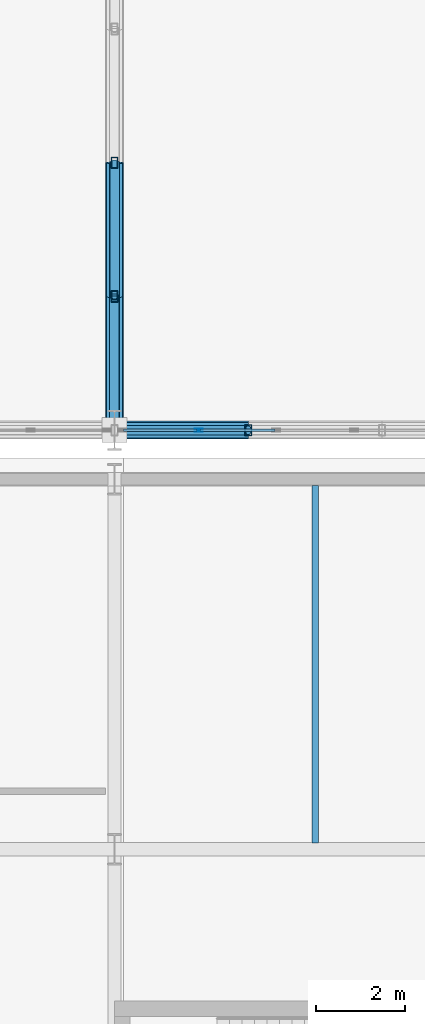
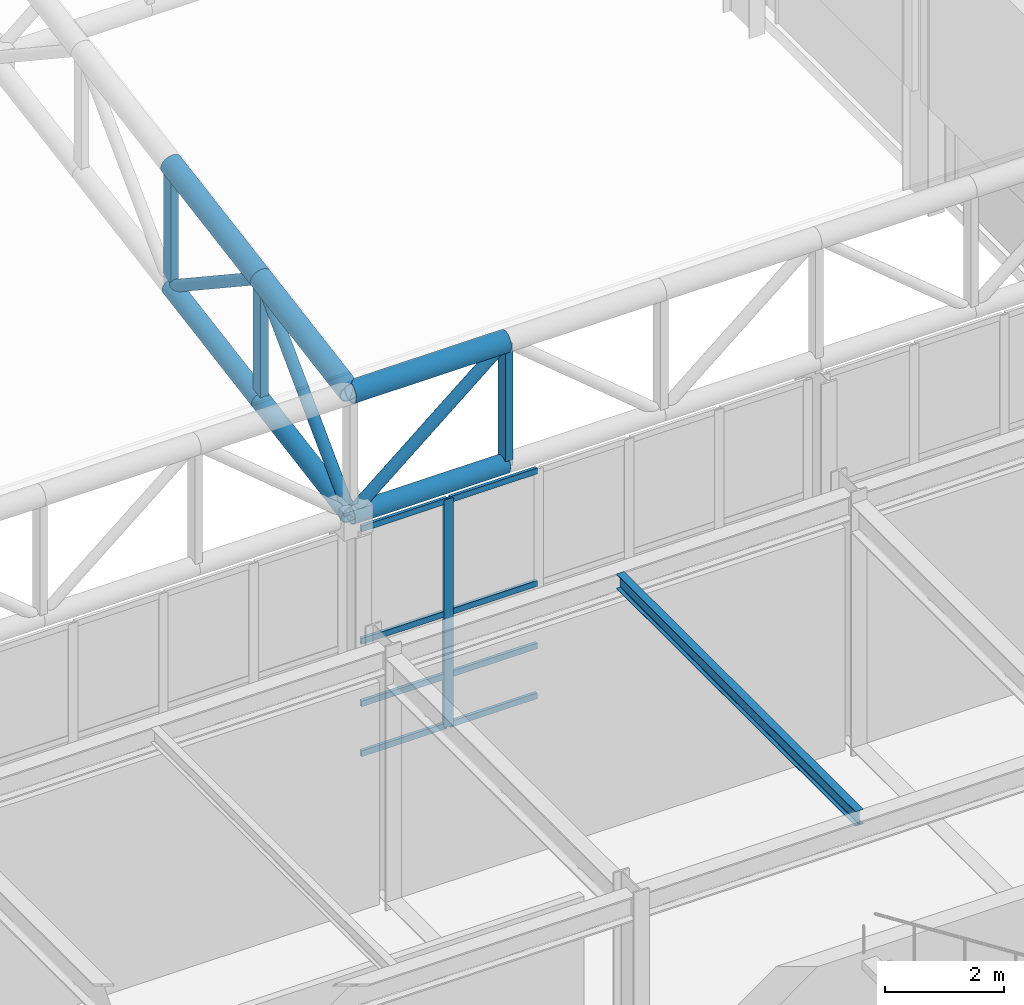
# One storey, part 69 of 239: 21 members, 1 beam, 1 element without a shape of its own.
"""IFC4 building model written with IfcOpenShell, lengths in metres."""

import ifcopenshell
import ifcopenshell.guid

model = None  # the IFC model being written
_history = None  # IfcOwnerHistory: only IFC2X3 demands one
_inside = {}  # id of a spatial element -> (the spatial element, [elements in it])
_under = {}  # id of a project, library or spatial element -> (it, [spatial elements below it])
_declared = {}  # id of a project -> (the project, [libraries it declares])
_typed = {}  # id of a type object -> (the type object, [elements of that type])
_made_of = {}  # id of a material, layer set ... -> (it, [elements and type objects made of it])


def new_model(schema):
    """Start an empty IFC model of exactly this schema.

    Asked for "IFC4X3", IfcOpenShell would pick the latest addendum, in which some entities
    have other attributes; the version numbers below select the first issue.
    IFC2X3 requires an IfcOwnerHistory on every rooted entity: one is made here for all.
    """
    global model, _history
    if schema == "IFC4X3":
        model = ifcopenshell.file(schema_version=(4, 3, 0, 0))
    else:
        model = ifcopenshell.file(schema=schema)
    _inside.clear()
    _under.clear()
    _declared.clear()
    _typed.clear()
    _made_of.clear()
    _history = None
    if model.schema == "IFC2X3":
        org = make("IfcOrganization", Name="unknown")
        user = make(
            "IfcPersonAndOrganization",
            ThePerson=make("IfcPerson", FamilyName="unknown"),
            TheOrganization=org,
        )
        app = make(
            "IfcApplication",
            ApplicationDeveloper=org,
            Version="unknown",
            ApplicationFullName="unknown",
            ApplicationIdentifier="unknown",
        )
        _history = make(
            "IfcOwnerHistory",
            OwningUser=user,
            OwningApplication=app,
            ChangeAction="ADDED",
            CreationDate=0,
        )
    return model


def make(cls, **values):
    """One entity of the class cls with the attributes given. An attribute that is None is left unset."""
    return model.create_entity(
        cls, **{name: value for name, value in values.items() if value is not None}
    )


def rooted(cls, **values):
    """An entity with a GlobalId (a new one), such as an element, a storey or a relation."""
    return make(cls, GlobalId=ifcopenshell.guid.new(), OwnerHistory=_history, **values)


def si_unit(unit_type, name, prefix=None):
    """IfcSIUnit, for example si_unit("LENGTHUNIT", "METRE", prefix="MILLI")."""
    return make("IfcSIUnit", UnitType=unit_type, Prefix=prefix, Name=name)


def assignment(units):
    """IfcUnitAssignment: the units of a project."""
    return None if units is None else make("IfcUnitAssignment", Units=units)


def point(xyz):
    """IfcCartesianPoint."""
    return None if xyz is None else make("IfcCartesianPoint", Coordinates=xyz)


def direction(xyz):
    """IfcDirection."""
    return None if xyz is None else make("IfcDirection", DirectionRatios=xyz)


def frame(location, z_axis=None, x_axis=None):
    """IfcAxis2Placement3D, a coordinate frame: its origin and axes. An axis left out is left unset."""
    return make(
        "IfcAxis2Placement3D",
        Location=point(location),
        Axis=direction(z_axis),
        RefDirection=direction(x_axis),
    )


def frame_2d(location, x_axis=None):
    """IfcAxis2Placement2D, a coordinate frame in the plane: its origin and x axis."""
    return make(
        "IfcAxis2Placement2D", Location=point(location), RefDirection=direction(x_axis)
    )


def origin():
    """The frame at (0, 0, 0) with its axes left unset."""
    return frame((0.0, 0.0, 0.0))


def origin_2d():
    """The frame at (0, 0) in the plane with its x axis left unset."""
    return frame_2d((0.0, 0.0))


def place(relative_to, where):
    """IfcLocalPlacement: puts the frame where relative to a parent placement (None: the world)."""
    return make(
        "IfcLocalPlacement", PlacementRelTo=relative_to, RelativePlacement=where
    )


def context(
    kind, dimensions, precision=None, world=None, true_north=None, identifier=None
):
    """IfcGeometricRepresentationContext, for example the 3D "Model" context."""
    return make(
        "IfcGeometricRepresentationContext",
        ContextIdentifier=identifier,
        ContextType=kind,
        CoordinateSpaceDimension=dimensions,
        Precision=precision,
        WorldCoordinateSystem=world,
        TrueNorth=true_north,
    )


def subcontext(parent, identifier, kind, view, scale=None):
    """IfcGeometricRepresentationSubContext, for example "Body" below "Model"."""
    return make(
        "IfcGeometricRepresentationSubContext",
        ContextIdentifier=identifier,
        ContextType=kind,
        ParentContext=parent,
        TargetScale=scale,
        TargetView=view,
    )


def project(units=None, contexts=None):
    """IfcProject with its units and contexts."""
    return rooted(
        "IfcProject",
        Name="project",
        RepresentationContexts=contexts,
        UnitsInContext=assignment(units),
    )


def spatial(cls, under=None, at=None, **own):
    """A site, building, storey or space (cls), placed at a placement, below another one or the project."""
    s = rooted(cls, ObjectPlacement=at, **own)
    if under is not None:
        _under.setdefault(under.id(), (under, []))[1].append(s)
    return s


def profile(cls, at=None, kind="AREA", **sizes):
    """A parametric profile (cls). Its sizes go by their IFC names, for example OverallWidth=200.0."""
    return make(cls, ProfileType=kind, Position=at, **sizes)


def hollow_rectangle(**sizes):
    """IfcRectangleHollowProfileDef."""
    return profile("IfcRectangleHollowProfileDef", **sizes)


def hollow_circle(**sizes):
    """IfcCircleHollowProfileDef."""
    return profile("IfcCircleHollowProfileDef", **sizes)


def i_section(**sizes):
    """IfcIShapeProfileDef."""
    return profile("IfcIShapeProfileDef", **sizes)


def extrude(swept, where, along, depth):
    """IfcExtrudedAreaSolid: the profile swept, set in the frame where, extruded along a direction by depth."""
    return make(
        "IfcExtrudedAreaSolid",
        SweptArea=swept,
        Position=where,
        ExtrudedDirection=direction(along),
        Depth=depth,
    )


def shape(context_of_items, identifier, shape_type, items):
    """IfcShapeRepresentation: the items that make up one representation, for example the "Body"."""
    return make(
        "IfcShapeRepresentation",
        ContextOfItems=context_of_items,
        RepresentationIdentifier=identifier,
        RepresentationType=shape_type,
        Items=items,
    )


def material(Name=None, Category=None):
    """IfcMaterial."""
    return make("IfcMaterial", Name=Name, Category=Category)


def material_profile(
    of_material, cross_section, Name=None, Category=None, Priority=None
):
    """IfcMaterialProfile: a cross section and its material."""
    return make(
        "IfcMaterialProfile",
        Name=Name,
        Material=of_material,
        Profile=cross_section,
        Priority=Priority,
        Category=Category,
    )


def profile_set(profiles, Name=None, composite=None):
    """IfcMaterialProfileSet."""
    return make(
        "IfcMaterialProfileSet",
        Name=Name,
        MaterialProfiles=profiles,
        CompositeProfile=composite,
    )


def made_of(thing, what):
    """Note that an element or type object is made of a material, layer set ...; save() writes the relation."""
    if what is not None:
        _made_of.setdefault(what.id(), (what, []))[1].append(thing)
    return thing


def type_object(cls, material=None, **own):
    """A type object (cls), such as IfcWallType, which elements share."""
    return made_of(rooted(cls, **own), material)


def element(
    cls,
    number,
    at=None,
    inside=None,
    cuts=None,
    type_object=None,
    material=None,
    context=None,
    identifier="Body",
    shape_type=None,
    held_by="IfcProductDefinitionShape",
    body=None,
    shapes=None,
    **own,
):
    """One element of the class cls, such as IfcWall. Its Tag is "e" and its number.

    at: its placement. inside: the storey or other place that contains it. cuts: it is an
    opening in that element (IfcRelVoidsElement). A single representation is given by context,
    identifier, shape_type and body (its items); several are given by shapes. held_by: the class
    of the entity that holds the representations. save() writes the other relations.
    """
    e = rooted(cls, Tag="e%d" % number, ObjectPlacement=at, **own)
    if body is not None:
        shapes = [shape(context, identifier, shape_type, body)]
    if shapes is not None:
        e.Representation = make(held_by, Representations=shapes)
    if inside is not None:
        _inside.setdefault(inside.id(), (inside, []))[1].append(e)
    if cuts is not None:
        rooted(
            "IfcRelVoidsElement", RelatingBuildingElement=cuts, RelatedOpeningElement=e
        )
    if type_object is not None:
        _typed.setdefault(type_object.id(), (type_object, []))[1].append(e)
    return made_of(e, material)


def aggregate(whole, parts):
    """IfcRelAggregates: a whole, such as a stair, and the parts it consists of."""
    return rooted("IfcRelAggregates", RelatingObject=whole, RelatedObjects=parts)


def save(model, path):
    """Write the relations noted so far, then the file.

    IfcRelAggregates (storeys below a building ...), IfcRelContainedInSpatialStructure (elements
    in a storey), IfcRelDefinesByType, IfcRelAssociatesMaterial and IfcRelDeclares: one each for
    every whole, place, type object, material and project.
    """
    for whole, parts in _under.values():
        aggregate(whole, parts)
    for where, things in _inside.values():
        rooted(
            "IfcRelContainedInSpatialStructure",
            RelatedElements=things,
            RelatingStructure=where,
        )
    for kind, things in _typed.values():
        rooted("IfcRelDefinesByType", RelatedObjects=things, RelatingType=kind)
    for what, things in _made_of.values():
        rooted("IfcRelAssociatesMaterial", RelatedObjects=things, RelatingMaterial=what)
    for by, libraries in _declared.values():
        rooted("IfcRelDeclares", RelatingContext=by, RelatedDefinitions=libraries)
    model.write(path)


model = new_model("IFC4")

# Units and contexts
model_context = context("Model", 3, precision=1e-05, world=origin(), true_north=direction((0.0, 1.0)))
body_context = subcontext(model_context, "Body", "Model", "MODEL_VIEW")
ifc_project = project(units=[si_unit("LENGTHUNIT", "METRE"), si_unit("AREAUNIT", "SQUARE_METRE"), si_unit("VOLUMEUNIT", "CUBIC_METRE"), si_unit("PLANEANGLEUNIT", "RADIAN"), si_unit("MASSUNIT", "GRAM", prefix="KILO")], contexts=[model_context])

# Site, building, storey
site_placement = place(None, origin())
site = spatial("IfcSite", under=ifc_project, at=site_placement, CompositionType="ELEMENT")
building_placement = place(site_placement, origin())
building = spatial("IfcBuilding", under=site, at=building_placement, Name="Kaldris Quays Convention Centre", CompositionType="ELEMENT")
storey_placement = place(building_placement, frame((0.0, 0.0, 11.39990234375)))
storey = spatial("IfcBuildingStorey", under=building, at=storey_placement, Name="L02", CompositionType="ELEMENT", Elevation=11.39990234375)

# Curtain wall, members
ifc_material_1 = material(Name="Anodized aluminium AW-6060 and triple glazing", Category="aluminium")
curtain_wall_type = type_object("IfcCurtainWallType", Name="UNITISED CURTAIN WALL CW03", PredefinedType="NOTDEFINED", material=ifc_material_1)
curtain_wall_placement = place(storey_placement, origin())
curtain_wall = element("IfcCurtainWall", 1, at=curtain_wall_placement, inside=storey, type_object=curtain_wall_type, Name="L02 Unitised Curtain Wall CW03 251", PredefinedType="NOTDEFINED")
ifc_material_2 = material(Name="Anodized aluminium AW-6060", Category="aluminium")
ifc_material_profile_1 = material_profile(ifc_material_2, hollow_rectangle(XDim=0.06005859375, YDim=0.179931640625, WallThickness=0.0048828125, at=origin_2d()), Name="RHS 180x60x5")
ifc_profile_set_1 = profile_set([ifc_material_profile_1], Name="Anodized aluminium AW-6060")
member_type_1 = type_object("IfcMemberType", Name="CURTAIN MULLION CWM2", PredefinedType="MULLION", material=ifc_profile_set_1)
member_1_placement = place(storey_placement, frame((129.884033203125, 56.0, 2.195068359375), z_axis=(0.0, 0.0, 1.0), x_axis=(0.0, 1.0, 0.0)))
member_1 = element("IfcMember", 2, at=member_1_placement, type_object=member_type_1, Name="CW03 mullion 2", PredefinedType="MULLION", context=body_context, shape_type="SweptSolid", body=[
    extrude(hollow_rectangle(XDim=0.06005859375, YDim=0.179931640625, WallThickness=0.0048828125, at=origin_2d()), origin(), (0.0, 0.0, 1.0), 4.655029296875),
])
ifc_material_profile_2 = material_profile(ifc_material_2, hollow_rectangle(XDim=0.06005859375, YDim=0.1201171875, WallThickness=0.00390625, at=origin_2d()), Name="RHS 120x60x4")
ifc_profile_set_2 = profile_set([ifc_material_profile_2], Name="Anodized aluminium AW-6060")
member_type_2 = type_object("IfcMemberType", Name="CURTAIN TRANSOM CWT1", PredefinedType="USERDEFINED", material=ifc_profile_set_2)
member_2_placement = place(storey_placement, frame((128.199951171875, 56.0, 2.22509765625), z_axis=(1.0, 0.0, 0.0), x_axis=(0.0, 1.0, 0.0)))
member_2 = element("IfcMember", 3, at=member_2_placement, type_object=member_type_2, Name="CW03 transom 1.1", ObjectType="TRANSOM", PredefinedType="USERDEFINED", context=body_context, shape_type="SweptSolid", body=[
    extrude(hollow_rectangle(XDim=0.06005859375, YDim=0.1201171875, WallThickness=0.00390625, at=origin_2d()), origin(), (0.0, 0.0, 1.0), 1.654052734375),
])
member_3_placement = place(storey_placement, frame((128.199951171875, 56.0, 3.2451171875), z_axis=(1.0, 0.0, 0.0), x_axis=(0.0, 1.0, 0.0)))
member_3 = element("IfcMember", 4, at=member_3_placement, type_object=member_type_2, Name="CW03 transom 1.2", ObjectType="TRANSOM", PredefinedType="USERDEFINED", context=body_context, shape_type="SweptSolid", body=[
    extrude(hollow_rectangle(XDim=0.06005859375, YDim=0.1201171875, WallThickness=0.00390625, at=origin_2d()), origin(), (0.0, 0.0, 1.0), 1.654052734375),
])
member_4_placement = place(storey_placement, frame((128.199951171875, 56.0, 4.522216796875), z_axis=(1.0, 0.0, 0.0), x_axis=(0.0, 1.0, 0.0)))
member_4 = element("IfcMember", 5, at=member_4_placement, type_object=member_type_2, Name="CW03 transom 1.3", ObjectType="TRANSOM", PredefinedType="USERDEFINED", context=body_context, shape_type="SweptSolid", body=[
    extrude(hollow_rectangle(XDim=0.06005859375, YDim=0.1201171875, WallThickness=0.00390625, at=origin_2d()), origin(), (0.0, 0.0, 1.0), 1.654052734375),
])
member_5_placement = place(storey_placement, frame((128.199951171875, 56.0, 6.820068359375), z_axis=(1.0, 0.0, 0.0), x_axis=(0.0, 1.0, 0.0)))
member_5 = element("IfcMember", 6, at=member_5_placement, type_object=member_type_2, Name="CW03 transom 1.4", ObjectType="TRANSOM", PredefinedType="USERDEFINED", context=body_context, shape_type="SweptSolid", body=[
    extrude(hollow_rectangle(XDim=0.06005859375, YDim=0.1201171875, WallThickness=0.00390625, at=origin_2d()), origin(), (0.0, 0.0, 1.0), 1.654052734375),
])
member_6_placement = place(storey_placement, frame((129.9140625, 56.0, 2.22509765625), z_axis=(1.0, 0.0, 0.0), x_axis=(0.0, 1.0, 0.0)))
member_6 = element("IfcMember", 7, at=member_6_placement, type_object=member_type_2, Name="CW03 transom 2.1", ObjectType="TRANSOM", PredefinedType="USERDEFINED", context=body_context, shape_type="SweptSolid", body=[
    extrude(hollow_rectangle(XDim=0.06005859375, YDim=0.1201171875, WallThickness=0.00390625, at=origin_2d()), origin(), (0.0, 0.0, 1.0), 1.683837890625),
])
member_7_placement = place(storey_placement, frame((129.9140625, 56.0, 3.2451171875), z_axis=(1.0, 0.0, 0.0), x_axis=(0.0, 1.0, 0.0)))
member_7 = element("IfcMember", 8, at=member_7_placement, type_object=member_type_2, Name="CW03 transom 2.2", ObjectType="TRANSOM", PredefinedType="USERDEFINED", context=body_context, shape_type="SweptSolid", body=[
    extrude(hollow_rectangle(XDim=0.06005859375, YDim=0.1201171875, WallThickness=0.00390625, at=origin_2d()), origin(), (0.0, 0.0, 1.0), 1.683837890625),
])
member_8_placement = place(storey_placement, frame((129.9140625, 56.0, 4.522216796875), z_axis=(1.0, 0.0, 0.0), x_axis=(0.0, 1.0, 0.0)))
member_8 = element("IfcMember", 9, at=member_8_placement, type_object=member_type_2, Name="CW03 transom 2.3", ObjectType="TRANSOM", PredefinedType="USERDEFINED", context=body_context, shape_type="SweptSolid", body=[
    extrude(hollow_rectangle(XDim=0.06005859375, YDim=0.1201171875, WallThickness=0.00390625, at=origin_2d()), origin(), (0.0, 0.0, 1.0), 1.683837890625),
])
member_9_placement = place(storey_placement, frame((129.9140625, 56.0, 6.820068359375), z_axis=(1.0, 0.0, 0.0), x_axis=(0.0, 1.0, 0.0)))
member_9 = element("IfcMember", 10, at=member_9_placement, type_object=member_type_2, Name="CW03 transom 2.4", ObjectType="TRANSOM", PredefinedType="USERDEFINED", context=body_context, shape_type="SweptSolid", body=[
    extrude(hollow_rectangle(XDim=0.06005859375, YDim=0.1201171875, WallThickness=0.00390625, at=origin_2d()), origin(), (0.0, 0.0, 1.0), 1.683837890625),
])
aggregate(curtain_wall, [member_1, member_2, member_3, member_4, member_5, member_6, member_7, member_8, member_9])

# Beam
ifc_material_3 = material(Name="Steel S355J2", Category="steel")
ifc_material_profile_3 = material_profile(ifc_material_3, i_section(OverallWidth=0.14990234375, OverallDepth=0.300048828125, WebThickness=0.007080078125, FlangeThickness=0.0107421875, FilletRadius=0.014892578125, at=origin_2d()), Name="IPE 300")
ifc_profile_set_3 = profile_set([ifc_material_profile_3], Name="Steel S355J2")
beam_type = type_object("IfcBeamType", Name="STRUCTURAL BEAM JT04", PredefinedType="JOIST", material=ifc_profile_set_3)
beam_placement = place(storey_placement, frame((132.5, 46.743896484375, 5.01318359375), z_axis=(0.0, 1.0, 0.0), x_axis=(-1.0, 0.0, 0.0)))
element("IfcBeam", 11, at=beam_placement, inside=storey, type_object=beam_type, Name="L02 Secondary Joist JT04 8", PredefinedType="JOIST", context=body_context, shape_type="SweptSolid", body=[
    extrude(i_section(OverallWidth=0.14990234375, OverallDepth=0.300048828125, WebThickness=0.007080078125, FlangeThickness=0.0107421875, FilletRadius=0.014892578125, at=origin_2d()), origin(), (0.0, 0.0, 1.0), 8.01220703125),
])

# Members
ifc_material_4 = material(Name="Steel S355J2H", Category="steel")
ifc_material_profile_4 = material_profile(ifc_material_4, hollow_circle(Radius=0.203125, WallThickness=0.01611328125, at=origin_2d()), Name="CHS 406.4x16")
ifc_profile_set_4 = profile_set([ifc_material_profile_4], Name="Steel S355J2H")
member_type_3 = type_object("IfcMemberType", Name="STRUCTURAL MEMBER SC01", PredefinedType="CHORD", material=ifc_profile_set_4)
member_10_placement = place(storey_placement, frame((128.0, 56.0, 9.671875), z_axis=(1.0, 0.0, 0.0), x_axis=(0.0, 1.0, 0.0)))
element("IfcMember", 12, at=member_10_placement, inside=storey, type_object=member_type_3, Name="SF-V1 Top Chord X 37", PredefinedType="CHORD", context=body_context, shape_type="SweptSolid", body=[
    extrude(hollow_circle(Radius=0.203125, WallThickness=0.01611328125, at=origin_2d()), origin(), (0.0, 0.0, 1.0), 3.0),
])
for number, where, z_axis, x_axis, name in (
    (13, (128.0, 56.0, 9.671875), (0.0, 0.985615766076, 0.169001661712), (-1.0, 0.0, 0.0), "SF-V1 Top Chord Y 505"),
    (14, (128.0, 59.0, 10.186279296875), (0.0, 0.98562912375, 0.168923741424), (-1.0, 0.0, 0.0), "SF-V1 Top Chord Y 506"),
):
    element("IfcMember", number, at=place(storey_placement, frame(where, z_axis=z_axis, x_axis=x_axis)), inside=storey, type_object=member_type_3, Name=name, PredefinedType="CHORD", context=body_context, shape_type="SweptSolid", body=[
        extrude(hollow_circle(Radius=0.203125, WallThickness=0.01611328125, at=origin_2d()), origin(), (0.0, 0.0, 1.0), 3.043701171875),
    ])
ifc_material_profile_5 = material_profile(ifc_material_4, hollow_circle(Radius=0.177734375, WallThickness=0.01611328125, at=origin_2d()), Name="CHS 355.6x16")
ifc_profile_set_5 = profile_set([ifc_material_profile_5], Name="Steel S355J2H")
member_type_4 = type_object("IfcMemberType", Name="STRUCTURAL MEMBER SC02", PredefinedType="CHORD", material=ifc_profile_set_5)
member_11_placement = place(storey_placement, frame((128.0, 56.0, 7.171875), z_axis=(1.0, 0.0, 0.0), x_axis=(0.0, 1.0, 0.0)))
element("IfcMember", 15, at=member_11_placement, inside=storey, type_object=member_type_4, Name="SF-V1 Bottom Chord X 37", PredefinedType="CHORD", context=body_context, shape_type="SweptSolid", body=[
    extrude(hollow_circle(Radius=0.177734375, WallThickness=0.01611328125, at=origin_2d()), origin(), (0.0, 0.0, 1.0), 3.0),
])
for number, where, z_axis, x_axis, name in (
    (16, (128.0, 56.0, 7.171875), (0.0, 0.985615766076, 0.169001661712), (-1.0, 0.0, 0.0), "SF-V1 Bottom Chord Y 505"),
    (17, (128.0, 59.0, 7.686279296875), (0.0, 0.98562912375, 0.168923741424), (-1.0, 0.0, 0.0), "SF-V1 Bottom Chord Y 506"),
):
    element("IfcMember", number, at=place(storey_placement, frame(where, z_axis=z_axis, x_axis=x_axis)), inside=storey, type_object=member_type_4, Name=name, PredefinedType="CHORD", context=body_context, shape_type="SweptSolid", body=[
        extrude(hollow_circle(Radius=0.177734375, WallThickness=0.01611328125, at=origin_2d()), origin(), (0.0, 0.0, 1.0), 3.043701171875),
    ])
ifc_material_profile_6 = material_profile(ifc_material_4, hollow_circle(Radius=0.109619140625, WallThickness=0.010009765625, at=origin_2d()), Name="CHS 219.1x10")
ifc_profile_set_6 = profile_set([ifc_material_profile_6], Name="Steel S355J2H")
member_type_5 = type_object("IfcMemberType", Name="STRUCTURAL MEMBER SWB1", PredefinedType="BRACE", material=ifc_profile_set_6)
member_12_placement = place(storey_placement, frame((128.0, 56.0, 7.171875), z_axis=(0.768221279597, 0.0, 0.640184399664), x_axis=(0.0, 1.0, 0.0)))
element("IfcMember", 18, at=member_12_placement, inside=storey, type_object=member_type_5, Name="SF-V1 Web Diagonal X 37", PredefinedType="BRACE", context=body_context, shape_type="SweptSolid", body=[
    extrude(hollow_circle(Radius=0.109619140625, WallThickness=0.010009765625, at=origin_2d()), origin(), (0.0, 0.0, 1.0), 3.905029296875),
])
member_13_placement = place(storey_placement, frame((128.0, 56.0, 7.171875), z_axis=(0.0, 0.705411261057, 0.708798245465), x_axis=(-1.0, 0.0, 0.0)))
element("IfcMember", 19, at=member_13_placement, inside=storey, type_object=member_type_5, Name="SF-V1 Web Diagonal Y 505", PredefinedType="BRACE", context=body_context, shape_type="SweptSolid", body=[
    extrude(hollow_circle(Radius=0.109619140625, WallThickness=0.010009765625, at=origin_2d()), origin(), (0.0, 0.0, 1.0), 4.2529296875),
])
member_14_placement = place(storey_placement, frame((128.0, 62.0, 8.200439453125), z_axis=(0.0, -0.833862389808, 0.551972385962), x_axis=(1.0, 0.0, 0.0)))
element("IfcMember", 20, at=member_14_placement, inside=storey, type_object=member_type_5, Name="SF-V1 Web Diagonal Y 506", PredefinedType="BRACE", context=body_context, shape_type="SweptSolid", body=[
    extrude(hollow_circle(Radius=0.109619140625, WallThickness=0.010009765625, at=origin_2d()), origin(), (0.0, 0.0, 1.0), 3.59765625),
])
ifc_material_profile_7 = material_profile(ifc_material_4, hollow_rectangle(XDim=0.14990234375, YDim=0.25, WallThickness=0.010009765625, at=origin_2d()), Name="RHS 250x150x10")
ifc_profile_set_7 = profile_set([ifc_material_profile_7], Name="Steel S355J2H")
member_type_6 = type_object("IfcMemberType", Name="STRUCTURAL MEMBER TTV1", PredefinedType="POST", material=ifc_profile_set_7)
for number, where, z_axis, x_axis, name in (
    (21, (128.0, 59.0, 7.686279296875), (0.0, 0.0, 1.0), (1.0, 0.0, 0.0), "SF-V1 Space-Frame Post 416"),
    (22, (128.0, 62.0, 8.200439453125), (0.0, 0.0, 1.0), (1.0, 0.0, 0.0), "SF-V1 Space-Frame Post 417"),
    (23, (131.0, 56.0, 7.171875), (0.0, 0.0, 1.0), (1.0, 0.0, 0.0), "SF-V1 Space-Frame Post 444"),
):
    element("IfcMember", number, at=place(storey_placement, frame(where, z_axis=z_axis, x_axis=x_axis)), inside=storey, type_object=member_type_6, Name=name, PredefinedType="POST", context=body_context, shape_type="SweptSolid", body=[
        extrude(hollow_rectangle(XDim=0.14990234375, YDim=0.25, WallThickness=0.010009765625, at=origin_2d()), origin(), (0.0, 0.0, 1.0), 2.5),
    ])

save(model, "model.ifc")
